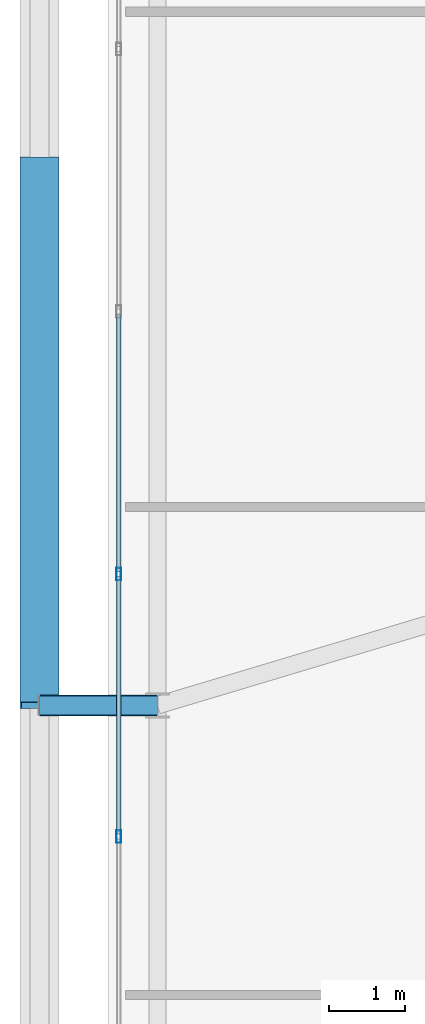
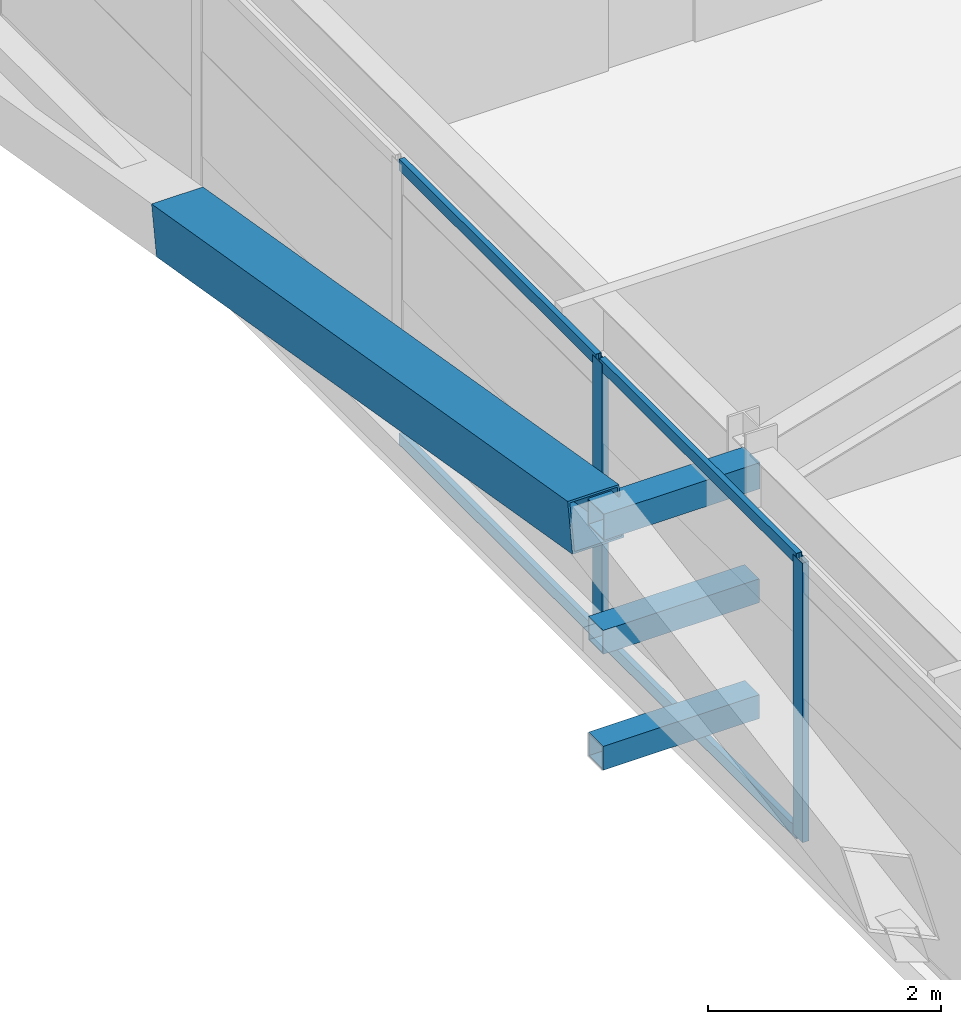
# One storey, part 14 of 59: 10 members, 1 element without a shape of its own.
"""IFC4 building model written with IfcOpenShell, lengths in metres."""

from ifc_helpers import new_model, si_unit, direction, frame, origin, origin_2d, place, context, subcontext, project, spatial, hollow_rectangle, extrude, source, transform, mapped, material, layer, layer_set, material_profile, profile_set, type_object, element, aggregate, save


model = new_model("IFC4")

# Units and contexts
model_context = context("Model", 3, precision=1e-05, world=origin(), true_north=direction((0.0, 1.0)))
body_context = subcontext(model_context, "Body", "Model", "MODEL_VIEW")
ifc_project = project(units=[si_unit("LENGTHUNIT", "METRE"), si_unit("AREAUNIT", "SQUARE_METRE"), si_unit("VOLUMEUNIT", "CUBIC_METRE"), si_unit("PLANEANGLEUNIT", "RADIAN"), si_unit("MASSUNIT", "GRAM", prefix="KILO")], contexts=[model_context])

# Site, building, storey
site_placement = place(None, origin())
site = spatial("IfcSite", under=ifc_project, at=site_placement, CompositionType="ELEMENT")
building_placement = place(site_placement, origin())
building = spatial("IfcBuilding", under=site, at=building_placement, Name="Taldren Reach Tower", CompositionType="ELEMENT")
storey_placement = place(building_placement, frame((0.0, 0.0, 48.300048828125)))
storey = spatial("IfcBuildingStorey", under=building, at=storey_placement, Name="L14", CompositionType="ELEMENT", Elevation=48.300048828125)

# Members
ifc_material_1 = material(Name="Steel Gr 450 (C450L0)", Category="steel")
ifc_material_profile_1 = material_profile(ifc_material_1, hollow_rectangle(XDim=0.27490234375, YDim=0.27490234375, WallThickness=0.00927734375, at=origin_2d()), Name="275x275x9.3SHS")
ifc_profile_set_1 = profile_set([ifc_material_profile_1], Name="Steel Gr 450 (C450L0)")
member_type_1 = type_object("IfcMemberType", Name="MB-TIE273", PredefinedType="STRUT", material=ifc_profile_set_1)
shared_shape_1 = source(origin(), body_context, "Body", "SweptSolid", [
    extrude(hollow_rectangle(XDim=0.27490234375, YDim=0.27490234375, WallThickness=0.00927734375, at=origin_2d()), origin(), (0.0, 0.0, 1.0), 1.5498046875),
])
member_1_placement = place(storey_placement, frame((5.64990234375, 20.0, 2.64990234375), z_axis=(-1.0, 0.0, 0.0), x_axis=(0.0, -1.0, 0.0)))
element("IfcMember", 1, at=member_1_placement, inside=storey, type_object=member_type_1, Name="Exoskeleton diaphragm tie strut B1-W2 L14", PredefinedType="STRUT", context=body_context, shape_type="MappedRepresentation", body=[
    mapped(shared_shape_1, transform((0.0, 0.0, 0.0), scale=1.0)),
])
ifc_material_2 = material(Name="Steel Gr 350 (C350L0)", Category="steel")
ifc_material_profile_2 = material_profile(ifc_material_2, hollow_rectangle(XDim=0.25, YDim=0.25, WallThickness=0.010009765625, at=origin_2d()), Name="250x250x10.0SHS")
ifc_profile_set_2 = profile_set([ifc_material_profile_2], Name="Steel Gr 350 (C350L0)")
member_type_2 = type_object("IfcMemberType", Name="MB-POST250", PredefinedType="POST", material=ifc_profile_set_2)
shared_shape_2 = source(origin(), body_context, "Body", "SweptSolid", [
    extrude(hollow_rectangle(XDim=0.25, YDim=0.25, WallThickness=0.010009765625, at=origin_2d()), origin(), (0.0, 0.0, 1.0), 1.5498046875),
])
for number, where, z_axis, x_axis, name in (
    (2, (5.64990234375, 20.0, 0.219970703125), (-1.0, 0.0, 0.0), (0.0, -1.0, 0.0), "Exoskeleton base diaphragm tie strut B1-W2 L14"),
    (3, (5.64990234375, 20.0, 1.43505859375), (-1.0, 0.0, 0.0), (0.0, -1.0, 0.0), "Exoskeleton mid-tier diaphragm tie B1-W2 L14"),
):
    element("IfcMember", number, at=place(storey_placement, frame(where, z_axis=z_axis, x_axis=x_axis)), inside=storey, type_object=member_type_2, Name=name, PredefinedType="POST", context=body_context, shape_type="MappedRepresentation", body=[
        mapped(shared_shape_2, transform((0.0, 0.0, 0.0), scale=1.0)),
    ])
ifc_material_profile_3 = material_profile(ifc_material_1, hollow_rectangle(XDim=0.510009765625, YDim=0.510009765625, WallThickness=0.02001953125, at=origin_2d()), Name="510x510x20.0SHS")
ifc_profile_set_3 = profile_set([ifc_material_profile_3], Name="Steel Gr 450 (C450L0)")
member_type_3 = type_object("IfcMemberType", Name="MB-EXO508", PredefinedType="BRACE", material=ifc_profile_set_3)
shared_shape_3 = source(origin(), body_context, "Body", "SweptSolid", [
    extrude(hollow_rectangle(XDim=0.510009765625, YDim=0.510009765625, WallThickness=0.02001953125, at=origin_2d()), origin(), (0.0, 0.0, 1.0), 7.25244140625),
])
member_2_placement = place(storey_placement, frame((4.10009765625, 27.14990234375, 1.43505859375), z_axis=(0.0, -0.985870415536, 0.167509772168), x_axis=(1.0, 0.0, 0.0)))
element("IfcMember", 4, at=member_2_placement, inside=storey, type_object=member_type_3, Name="Exoskeleton Diagrid Brace B1-W2 L14", PredefinedType="BRACE", context=body_context, shape_type="MappedRepresentation", body=[
    mapped(shared_shape_3, transform((0.0, 0.0, 0.0), scale=1.0)),
])

# Curtain wall, members
ifc_material_3 = material(Name="Aluminium and Low-E Glass Unitised System", Category="aluminium")
ifc_layer = layer(ifc_material_3, 0.159912109375)
ifc_layer_set = layer_set([ifc_layer], Name="Aluminium and Low-E Glass Unitised System")
curtain_wall_type = type_object("IfcCurtainWallType", Name="CW-SYS-2", PredefinedType="NOTDEFINED", material=ifc_layer_set)
curtain_wall_placement = place(storey_placement, origin())
curtain_wall = element("IfcCurtainWall", 5, at=curtain_wall_placement, inside=storey, type_object=curtain_wall_type, Name="Unitised curtain wall CW-L14-W", PredefinedType="NOTDEFINED")
ifc_material_4 = material(Name="Anodised Aluminium 6063-T6", Category="aluminium")
ifc_material_profile_4 = material_profile(ifc_material_4, hollow_rectangle(XDim=0.06494140625, YDim=0.1650390625, WallThickness=0.00390625, at=origin_2d()), Name="ALU-165x65x4RHS")
ifc_profile_set_4 = profile_set([ifc_material_profile_4], Name="Anodised Aluminium 6063-T6")
member_type_4 = type_object("IfcMemberType", Name="CW-MUL-165", PredefinedType="MULLION", material=ifc_profile_set_4)
shared_shape_4 = source(origin(), body_context, "Body", "SweptSolid", [
    extrude(hollow_rectangle(XDim=0.06494140625, YDim=0.1650390625, WallThickness=0.00390625, at=origin_2d()), origin(), (0.0, 0.0, 1.0), 2.929931640625),
])
member_3_placement = place(storey_placement, frame((5.139892578125, 21.72216796875, 0.0), z_axis=(0.0, 0.0, 1.0), x_axis=(1.0, 0.0, 0.0)))
member_3 = element("IfcMember", 6, at=member_3_placement, type_object=member_type_4, Name="CW-2 mullion 5", PredefinedType="MULLION", context=body_context, shape_type="MappedRepresentation", body=[
    mapped(shared_shape_4, transform((0.0, 0.0, 0.0), scale=1.0)),
])
member_4_placement = place(storey_placement, frame((5.139892578125, 18.27783203125, 0.0), z_axis=(0.0, 0.0, 1.0), x_axis=(1.0, 0.0, 0.0)))
member_4 = element("IfcMember", 7, at=member_4_placement, type_object=member_type_4, Name="CW-2 mullion 6", PredefinedType="MULLION", context=body_context, shape_type="MappedRepresentation", body=[
    mapped(shared_shape_4, transform((0.0, 0.0, 0.0), scale=1.0)),
])
ifc_material_profile_5 = material_profile(ifc_material_4, hollow_rectangle(XDim=0.054931640625, YDim=0.1201171875, WallThickness=0.0029296875, at=origin_2d()), Name="ALU-120x55x3RHS")
ifc_profile_set_5 = profile_set([ifc_material_profile_5], Name="Anodised Aluminium 6063-T6")
member_type_5 = type_object("IfcMemberType", Name="CW-TRN-135", PredefinedType="USERDEFINED", material=ifc_profile_set_5)
shared_shape_5 = source(origin(), body_context, "Body", "SweptSolid", [
    extrude(hollow_rectangle(XDim=0.054931640625, YDim=0.1201171875, WallThickness=0.0029296875, at=origin_2d()), origin(), (0.0, 0.0, 1.0), 3.37939453125),
])
member_5_placement = place(storey_placement, frame((5.139892578125, 21.689697265625, 0.02734375), z_axis=(0.0, -1.0, 0.0), x_axis=(1.0, 0.0, 0.0)))
member_5 = element("IfcMember", 8, at=member_5_placement, type_object=member_type_5, Name="CW-2 transom 5.1", ObjectType="TRANSOM", PredefinedType="USERDEFINED", context=body_context, shape_type="MappedRepresentation", body=[
    mapped(shared_shape_5, transform((0.0, 0.0, 0.0), scale=1.0)),
])
member_6_placement = place(storey_placement, frame((5.139892578125, 21.689697265625, 2.90234375), z_axis=(0.0, -1.0, 0.0), x_axis=(1.0, 0.0, 0.0)))
member_6 = element("IfcMember", 9, at=member_6_placement, type_object=member_type_5, Name="CW-2 transom 5.2", ObjectType="TRANSOM", PredefinedType="USERDEFINED", context=body_context, shape_type="MappedRepresentation", body=[
    mapped(shared_shape_5, transform((0.0, 0.0, 0.0), scale=1.0)),
])
shared_shape_6 = source(origin(), body_context, "Body", "SweptSolid", [
    extrude(hollow_rectangle(XDim=0.054931640625, YDim=0.1201171875, WallThickness=0.0029296875, at=origin_2d()), origin(), (0.0, 0.0, 1.0), 3.379638671875),
])
member_7_placement = place(storey_placement, frame((5.139892578125, 25.13427734375, 0.02734375), z_axis=(0.0, -1.0, 0.0), x_axis=(1.0, 0.0, 0.0)))
member_7 = element("IfcMember", 10, at=member_7_placement, type_object=member_type_5, Name="CW-2 transom 4.1", ObjectType="TRANSOM", PredefinedType="USERDEFINED", context=body_context, shape_type="MappedRepresentation", body=[
    mapped(shared_shape_6, transform((0.0, 0.0, 0.0), scale=1.0)),
])
member_8_placement = place(storey_placement, frame((5.139892578125, 25.13427734375, 2.90234375), z_axis=(0.0, -1.0, 0.0), x_axis=(1.0, 0.0, 0.0)))
member_8 = element("IfcMember", 11, at=member_8_placement, type_object=member_type_5, Name="CW-2 transom 4.2", ObjectType="TRANSOM", PredefinedType="USERDEFINED", context=body_context, shape_type="MappedRepresentation", body=[
    mapped(shared_shape_6, transform((0.0, 0.0, 0.0), scale=1.0)),
])
aggregate(curtain_wall, [member_3, member_4, member_7, member_8, member_5, member_6])

save(model, "model.ifc")
